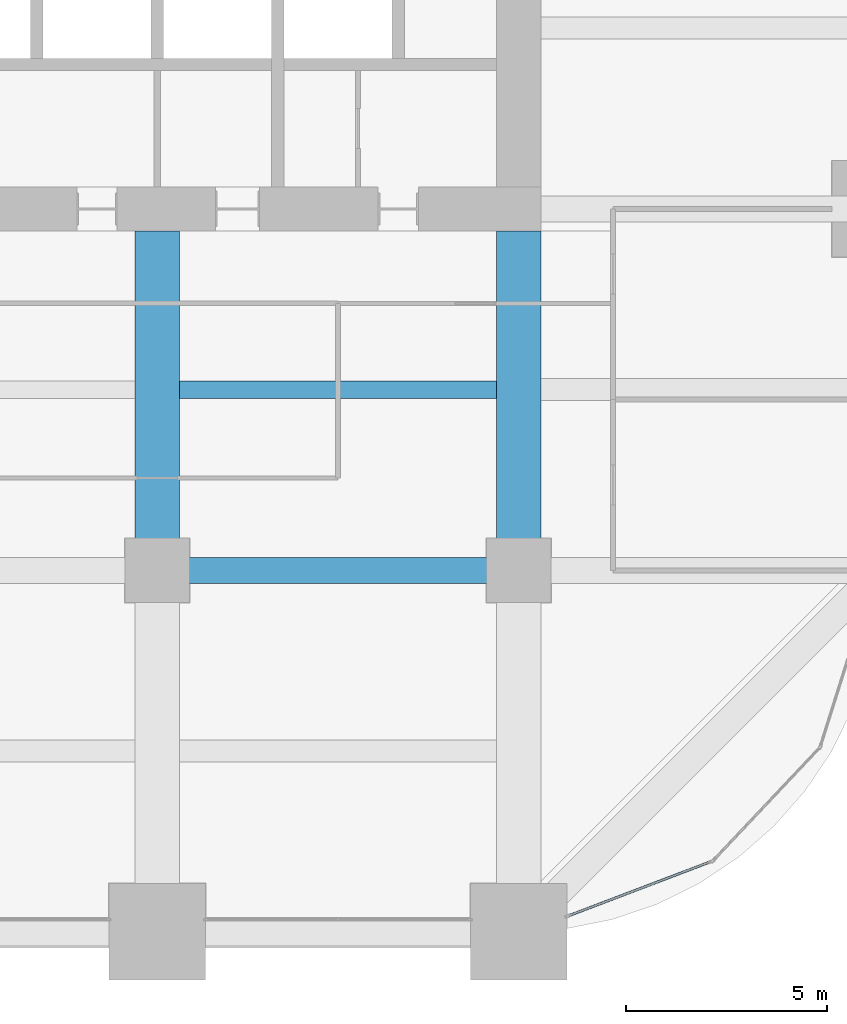
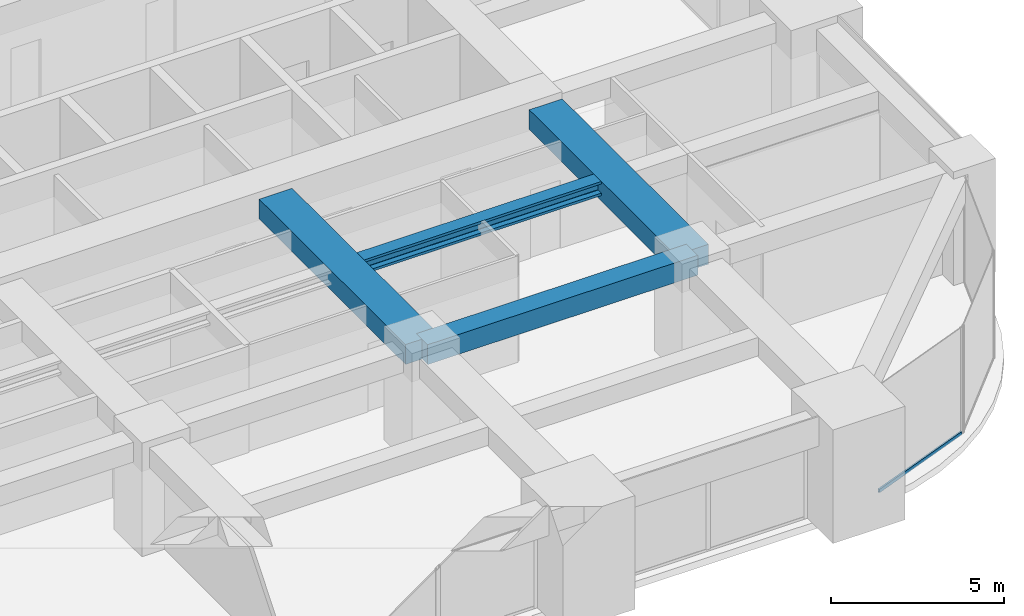
# One storey, part 15 of 33: 4 beams, 1 member, 1 element without a shape of its own.
"""IFC4 building model written with IfcOpenShell, lengths in metres."""

from ifc_helpers import new_model, si_unit, direction, frame, origin, origin_2d, place, context, subcontext, project, spatial, rectangle, hollow_rectangle, i_section, extrude, material, material_profile, profile_set, type_object, element, aggregate, save


model = new_model("IFC4")

# Units and contexts
model_context = context("Model", 3, precision=1e-05, world=origin(), true_north=direction((0.0, 1.0)))
body_context = subcontext(model_context, "Body", "Model", "MODEL_VIEW")
ifc_project = project(units=[si_unit("LENGTHUNIT", "METRE"), si_unit("AREAUNIT", "SQUARE_METRE"), si_unit("VOLUMEUNIT", "CUBIC_METRE"), si_unit("PLANEANGLEUNIT", "RADIAN"), si_unit("MASSUNIT", "GRAM", prefix="KILO")], contexts=[model_context])

# Site, building, storey
site_placement = place(None, origin())
site = spatial("IfcSite", under=ifc_project, at=site_placement, CompositionType="ELEMENT")
building_placement = place(site_placement, origin())
building = spatial("IfcBuilding", under=site, at=building_placement, Name="Zorevar Civic Tower", CompositionType="ELEMENT")
storey_placement = place(building_placement, frame((0.0, 0.0, 194.199951171875)))
storey = spatial("IfcBuildingStorey", under=building, at=storey_placement, Name="L47", CompositionType="ELEMENT", Elevation=194.199951171875)

# Beams
ifc_material_1 = material(Name="Concrete C50/60", Category="concrete")
ifc_material_profile_1 = material_profile(ifc_material_1, rectangle(XDim=1.10009765625, YDim=0.699951171875, at=origin_2d()), Name="RC 1100x700")
ifc_profile_set_1 = profile_set([ifc_material_profile_1], Name="Concrete C50/60")
beam_type_1 = type_object("IfcBeamType", Name="Beam RC 1100x700", PredefinedType="BEAM", material=ifc_profile_set_1)
for number, where, z_axis, x_axis, name in (
    (1, (36.0, 9.0, 3.400146484375), (0.0, 1.0, 0.0), (-1.0, 0.0, 0.0), "Girder L48"),
    (2, (45.0, 9.0, 3.400146484375), (0.0, 1.0, 0.0), (-1.0, 0.0, 0.0), "Girder L48"),
):
    element("IfcBeam", number, at=place(storey_placement, frame(where, z_axis=z_axis, x_axis=x_axis)), inside=storey, type_object=beam_type_1, Name=name, PredefinedType="BEAM", context=body_context, shape_type="SweptSolid", body=[
        extrude(rectangle(XDim=1.10009765625, YDim=0.699951171875, at=origin_2d()), origin(), (0.0, 0.0, 1.0), 8.449951171875),
    ])
ifc_material_2 = material(Name="Concrete C50/60", Category="concrete")
ifc_material_profile_2 = material_profile(ifc_material_2, rectangle(XDim=0.64990234375, YDim=0.699951171875, at=origin_2d()), Name="RC 650x700")
ifc_profile_set_2 = profile_set([ifc_material_profile_2], Name="Concrete C50/60")
beam_type_2 = type_object("IfcBeamType", Name="Beam RC 650x700", PredefinedType="BEAM", material=ifc_profile_set_2)
beam_1_placement = place(storey_placement, frame((36.0, 9.0, 3.400146484375), z_axis=(1.0, 0.0, 0.0), x_axis=(0.0, 1.0, 0.0)))
element("IfcBeam", 3, at=beam_1_placement, inside=storey, type_object=beam_type_2, Name="Girder L48", PredefinedType="BEAM", context=body_context, shape_type="SweptSolid", body=[
    extrude(rectangle(XDim=0.64990234375, YDim=0.699951171875, at=origin_2d()), origin(), (0.0, 0.0, 1.0), 9.0),
])

# Curtain wall, member
ifc_material_3 = material(Name="Dark grey solar-control glass in black aluminium frame", Category="aluminium")
curtain_wall_type = type_object("IfcCurtainWallType", Name="Curtain wall CW4 high zone", PredefinedType="NOTDEFINED", material=ifc_material_3)
curtain_wall_placement = place(storey_placement, origin())
curtain_wall = element("IfcCurtainWall", 4, at=curtain_wall_placement, inside=storey, type_object=curtain_wall_type, Name="CW4 L47", PredefinedType="NOTDEFINED")
ifc_material_4 = material(Name="Aluminium, black anodised", Category="aluminium")
ifc_material_profile_3 = material_profile(ifc_material_4, hollow_rectangle(XDim=0.06005859375, YDim=0.1201171875, WallThickness=0.0029296875, at=origin_2d()), Name="AL 120x60x3")
ifc_profile_set_3 = profile_set([ifc_material_profile_3], Name="Aluminium, black anodised")
member_type = type_object("IfcMemberType", Name="CW4 transom AL 120x60x3", PredefinedType="USERDEFINED", material=ifc_profile_set_3)
member_placement = place(storey_placement, frame((46.256103515625, 0.404541015625, 0.030029296875), z_axis=(0.934589335576, 0.355728511406, 0.0), x_axis=(-0.355728511406, 0.934589335576, 0.0)))
member = element("IfcMember", 5, at=member_placement, type_object=member_type, Name="CW4 sill transom", ObjectType="TRANSOM", PredefinedType="USERDEFINED", context=body_context, shape_type="SweptSolid", body=[
    extrude(hollow_rectangle(XDim=0.06005859375, YDim=0.1201171875, WallThickness=0.0029296875, at=origin_2d()), origin(), (0.0, 0.0, 1.0), 3.76708984375),
])
aggregate(curtain_wall, [member])

# Beam
ifc_material_5 = material(Name="Steel S460M (HISTAR 460)", Category="steel")
ifc_material_profile_4 = material_profile(ifc_material_5, i_section(OverallWidth=0.431884765625, OverallDepth=0.498046875, WebThickness=0.0556640625, FlangeThickness=0.0888671875, FilletRadius=0.014892578125, at=origin_2d()), Name="HD 400x744")
ifc_profile_set_4 = profile_set([ifc_material_profile_4], Name="Steel S460M (HISTAR 460)")
beam_type_3 = type_object("IfcBeamType", Name="Core bay beam HD 400x744", PredefinedType="BEAM", material=ifc_profile_set_4)
beam_2_placement = place(storey_placement, frame((36.550048828125, 13.5, 3.5009765625), z_axis=(1.0, 0.0, 0.0), x_axis=(0.0, 1.0, 0.0)))
element("IfcBeam", 6, at=beam_2_placement, inside=storey, type_object=beam_type_3, Name="Secondary beam L48", PredefinedType="BEAM", context=body_context, shape_type="SweptSolid", body=[
    extrude(i_section(OverallWidth=0.431884765625, OverallDepth=0.498046875, WebThickness=0.0556640625, FlangeThickness=0.0888671875, FilletRadius=0.014892578125, at=origin_2d()), origin(), (0.0, 0.0, 1.0), 7.89990234375),
])

save(model, "model.ifc")
